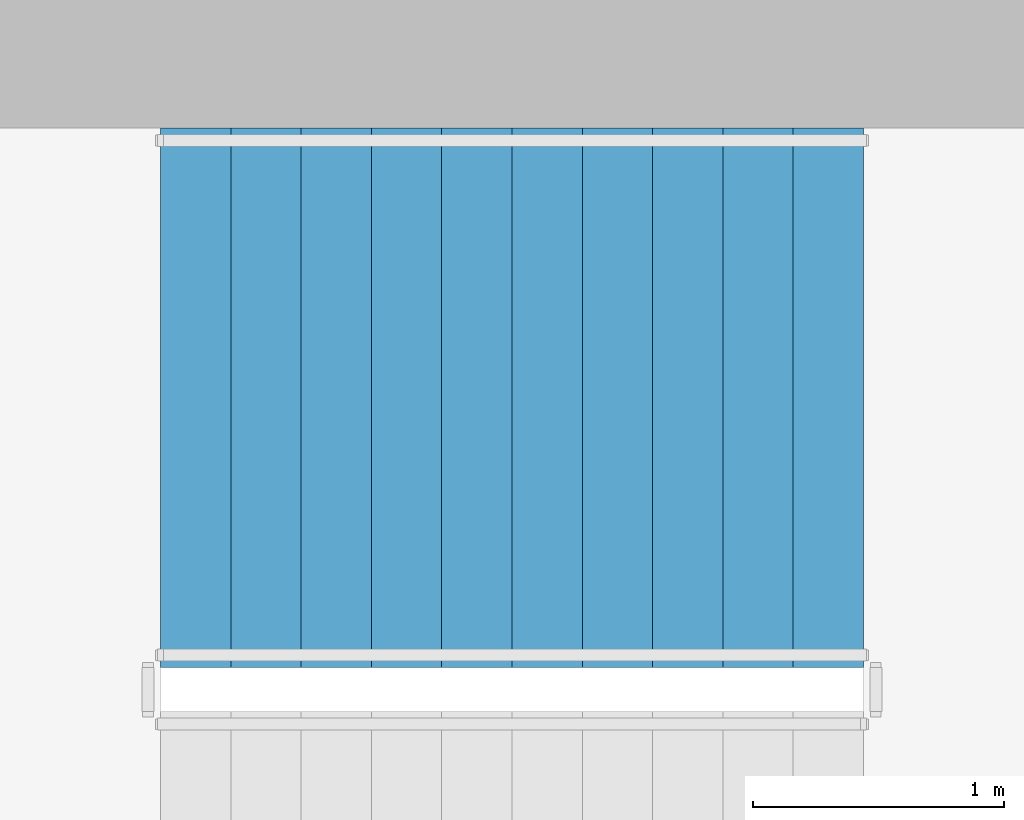
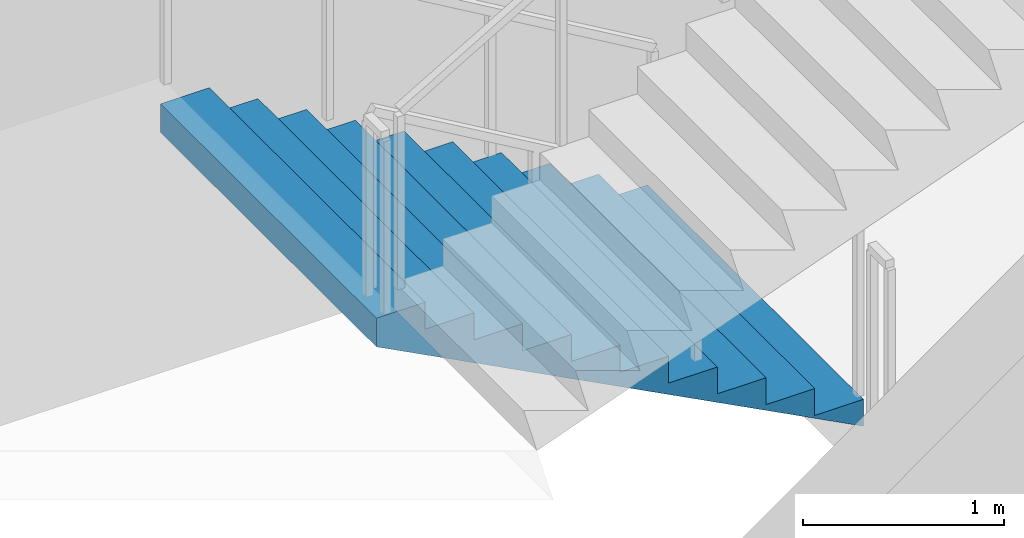
# One storey, part 12 of 20: 1 stair flight, 1 element without a shape of its own.
"""IFC4 building model written with IfcOpenShell, lengths in metres."""

from ifc_helpers import new_model, si_unit, direction, frame, origin, place, context, subcontext, project, spatial, triangles, material, type_object, element, aggregate, save


model = new_model("IFC4")

# Units and contexts
model_context = context("Model", 3, precision=1e-05, world=origin(), true_north=direction((0.0, 1.0)))
body_context = subcontext(model_context, "Body", "Model", "MODEL_VIEW")
ifc_project = project(units=[si_unit("LENGTHUNIT", "METRE"), si_unit("AREAUNIT", "SQUARE_METRE"), si_unit("VOLUMEUNIT", "CUBIC_METRE"), si_unit("PLANEANGLEUNIT", "RADIAN"), si_unit("MASSUNIT", "GRAM", prefix="KILO")], contexts=[model_context])

# Site, building, storey
site_placement = place(None, origin())
site = spatial("IfcSite", under=ifc_project, at=site_placement, CompositionType="ELEMENT")
building_placement = place(site_placement, origin())
building = spatial("IfcBuilding", under=site, at=building_placement, Name="Cypress Arch Tower", CompositionType="ELEMENT")
storey_placement = place(building_placement, frame((0.0, 0.0, 87.89990234375)))
storey = spatial("IfcBuildingStorey", under=building, at=storey_placement, Name="L16", CompositionType="ELEMENT", Elevation=87.89990234375)

# Stair, stair flight
ifc_material_1 = material(Name="Concrete C40/50", Category="concrete")
stair_type = type_object("IfcStairType", Name="Exit stair ES1636-215", PredefinedType="HALF_TURN_STAIR", material=ifc_material_1)
stair_placement = place(storey_placement, origin())
stair = element("IfcStair", 1, at=stair_placement, inside=storey, type_object=stair_type, Name="L16 Exit stair B", PredefinedType="HALF_TURN_STAIR")
ifc_material_2 = material(Name="Concrete C40/50", Category="concrete")
stair_flight_type = type_object("IfcStairFlightType", Name="Exit stair flight ES1636-215", PredefinedType="STRAIGHT", material=ifc_material_2)
stair_flight_placement = place(storey_placement, frame((-22.27490234375, 13.72509765625, 0.0), z_axis=(0.0, 0.0, 1.0), x_axis=(-1.0, 0.0, 0.0)))
stair_flight = element("IfcStairFlight", 2, at=stair_flight_placement, type_object=stair_flight_type, Name="B flight 1", NumberOfRisers=11, NumberOfTreads=10, PredefinedType="STRAIGHT", RiserHeight=0.163636364, TreadLength=0.28, context=body_context, shape_type="Tessellation", body=[
    triangles([(0.0, -1.074951171875, 0.0), (0.000244140625, -1.074951171875, 0.03271484375), (0.00048828125, -1.074951171875, 0.0654296875), (0.00048828125, -1.074951171875, 0.09814453125), (0.000244140625, -1.074951171875, 0.130859375), (0.0, -1.074951171875, 0.16357421875), (0.280029296875, -1.074951171875, 0.16357421875), (0.280029296875, -1.074951171875, 0.327392578125), (0.56005859375, -1.074951171875, 0.327392578125), (0.56005859375, -1.074951171875, 0.490966796875), (0.840087890625, -1.074951171875, 0.490966796875), (0.840087890625, -1.074951171875, 0.654541015625), (1.1201171875, -1.074951171875, 0.654541015625), (1.1201171875, -1.074951171875, 0.818115234375), (1.39990234375, -1.074951171875, 0.818115234375), (1.39990234375, -1.074951171875, 0.98193359375), (1.679931640625, -1.074951171875, 0.98193359375), (1.679931640625, -1.074951171875, 1.1455078125), (1.9599609375, -1.074951171875, 1.1455078125), (1.9599609375, -1.074951171875, 1.30908203125), (2.239990234375, -1.074951171875, 1.30908203125), (2.239990234375, -1.074951171875, 1.47265625), (2.52001953125, -1.074951171875, 1.47265625), (2.52001953125, -1.074951171875, 1.636474609375), (2.800048828125, -1.074951171875, 1.636474609375), (2.7998046875, -1.074951171875, 1.601806640625), (2.799560546875, -1.074951171875, 1.56689453125), (2.799560546875, -1.074951171875, 1.5322265625), (2.7998046875, -1.074951171875, 1.497314453125), (2.800048828125, -1.074951171875, 1.462646484375), (2.800048828125, 1.074951171875, 1.462646484375), (2.7998046875, 1.074951171875, 1.497314453125), (2.799560546875, 1.074951171875, 1.5322265625), (2.799560546875, 1.074951171875, 1.56689453125), (2.7998046875, 1.074951171875, 1.601806640625), (2.800048828125, 1.074951171875, 1.636474609375), (2.52001953125, 1.074951171875, 1.636474609375), (2.52001953125, 1.074951171875, 1.47265625), (2.239990234375, 1.074951171875, 1.47265625), (2.239990234375, 1.074951171875, 1.30908203125), (1.9599609375, 1.074951171875, 1.30908203125), (1.9599609375, 1.074951171875, 1.1455078125), (1.679931640625, 1.074951171875, 1.1455078125), (1.679931640625, 1.074951171875, 0.98193359375), (1.39990234375, 1.074951171875, 0.98193359375), (1.39990234375, 1.074951171875, 0.818115234375), (1.1201171875, 1.074951171875, 0.818115234375), (1.1201171875, 1.074951171875, 0.654541015625), (0.840087890625, 1.074951171875, 0.654541015625), (0.840087890625, 1.074951171875, 0.490966796875), (0.56005859375, 1.074951171875, 0.490966796875), (0.56005859375, 1.074951171875, 0.327392578125), (0.280029296875, 1.074951171875, 0.327392578125), (0.280029296875, 1.074951171875, 0.16357421875), (0.0, 1.074951171875, 0.16357421875), (0.000244140625, 1.074951171875, 0.130859375), (0.00048828125, 1.074951171875, 0.09814453125), (0.00048828125, 1.074951171875, 0.0654296875), (0.000244140625, 1.074951171875, 0.03271484375), (0.0, 1.074951171875, 0.0), (2.7998046875, 0.0, 1.497314453125), (2.800048828125, 0.0, 1.462646484375), (2.799560546875, 0.0, 1.5322265625), (2.799560546875, 0.0, 1.56689453125), (2.7998046875, 0.0, 1.601806640625), (2.800048828125, 0.0, 1.636474609375), (2.52001953125, 0.0, 1.636474609375), (2.52001953125, 0.0, 1.47265625), (2.239990234375, 0.0, 1.47265625), (2.239990234375, 0.0, 1.30908203125), (1.9599609375, 0.0, 1.30908203125), (1.9599609375, 0.0, 1.1455078125), (1.679931640625, 0.0, 1.1455078125), (1.679931640625, 0.0, 0.98193359375), (1.39990234375, 0.0, 0.98193359375), (1.39990234375, 0.0, 0.818115234375), (1.1201171875, 0.0, 0.818115234375), (1.1201171875, 0.0, 0.654541015625), (0.840087890625, 0.0, 0.654541015625), (0.840087890625, 0.0, 0.490966796875), (0.56005859375, 0.0, 0.490966796875), (0.56005859375, 0.0, 0.327392578125), (0.280029296875, 0.0, 0.327392578125), (0.280029296875, 0.0, 0.16357421875), (0.0, 0.0, 0.16357421875), (0.000244140625, 0.0, 0.130859375), (0.00048828125, 0.0, 0.09814453125), (0.00048828125, 0.0, 0.0654296875), (0.000244140625, 0.0, 0.03271484375), (0.0, 0.0, 0.0)], [[30, 29, 24], [29, 28, 24], [28, 27, 24], [27, 26, 24], [26, 25, 24], [17, 16, 15], [9, 8, 7], [15, 14, 13], [23, 22, 21], [21, 20, 19], [19, 18, 17], [13, 12, 11], [11, 10, 9], [6, 5, 7], [5, 4, 7], [4, 3, 7], [3, 2, 7], [2, 1, 7], [30, 24, 23], [30, 23, 21], [30, 21, 19], [30, 19, 17], [30, 17, 15], [30, 15, 13], [30, 13, 11], [30, 11, 9], [30, 9, 7], [30, 7, 1], [31, 37, 32], [32, 37, 33], [33, 37, 34], [34, 37, 35], [35, 37, 36], [44, 46, 45], [52, 54, 53], [46, 48, 47], [38, 40, 39], [40, 42, 41], [42, 44, 43], [48, 50, 49], [50, 52, 51], [55, 54, 56], [56, 54, 57], [57, 54, 58], [58, 54, 59], [59, 54, 60], [31, 38, 37], [31, 40, 38], [31, 42, 40], [31, 44, 42], [31, 46, 44], [31, 48, 46], [31, 50, 48], [31, 52, 50], [31, 54, 52], [31, 60, 54], [62, 61, 29], [62, 29, 30], [31, 32, 61], [31, 61, 62], [61, 63, 28], [61, 28, 29], [32, 33, 63], [32, 63, 61], [63, 64, 27], [63, 27, 28], [33, 34, 64], [33, 64, 63], [64, 65, 26], [64, 26, 27], [34, 35, 65], [34, 65, 64], [65, 66, 25], [65, 25, 26], [35, 36, 66], [35, 66, 65], [66, 67, 24], [66, 24, 25], [36, 37, 67], [36, 67, 66], [67, 68, 23], [67, 23, 24], [37, 38, 68], [37, 68, 67], [68, 69, 22], [68, 22, 23], [38, 39, 69], [38, 69, 68], [69, 70, 21], [69, 21, 22], [39, 40, 70], [39, 70, 69], [70, 71, 20], [70, 20, 21], [40, 41, 71], [40, 71, 70], [71, 72, 19], [71, 19, 20], [41, 42, 72], [41, 72, 71], [72, 73, 18], [72, 18, 19], [42, 43, 73], [42, 73, 72], [73, 74, 17], [73, 17, 18], [43, 44, 74], [43, 74, 73], [74, 75, 16], [74, 16, 17], [44, 45, 75], [44, 75, 74], [75, 76, 15], [75, 15, 16], [45, 46, 76], [45, 76, 75], [76, 77, 14], [76, 14, 15], [46, 47, 77], [46, 77, 76], [77, 78, 13], [77, 13, 14], [47, 48, 78], [47, 78, 77], [78, 79, 12], [78, 12, 13], [48, 49, 79], [48, 79, 78], [79, 80, 11], [79, 11, 12], [49, 50, 80], [49, 80, 79], [80, 81, 10], [80, 10, 11], [50, 51, 81], [50, 81, 80], [81, 82, 9], [81, 9, 10], [51, 52, 82], [51, 82, 81], [82, 83, 8], [82, 8, 9], [52, 53, 83], [52, 83, 82], [83, 84, 7], [83, 7, 8], [53, 54, 84], [53, 84, 83], [84, 85, 6], [84, 6, 7], [54, 55, 85], [54, 85, 84], [85, 86, 5], [85, 5, 6], [55, 56, 86], [55, 86, 85], [86, 87, 4], [86, 4, 5], [56, 57, 87], [56, 87, 86], [87, 88, 3], [87, 3, 4], [57, 58, 88], [57, 88, 87], [88, 89, 2], [88, 2, 3], [58, 59, 89], [58, 89, 88], [89, 90, 1], [89, 1, 2], [59, 60, 90], [59, 90, 89], [90, 62, 30], [90, 30, 1], [60, 31, 62], [60, 62, 90]], closed=True),
])
aggregate(stair, [stair_flight])

save(model, "model.ifc")
